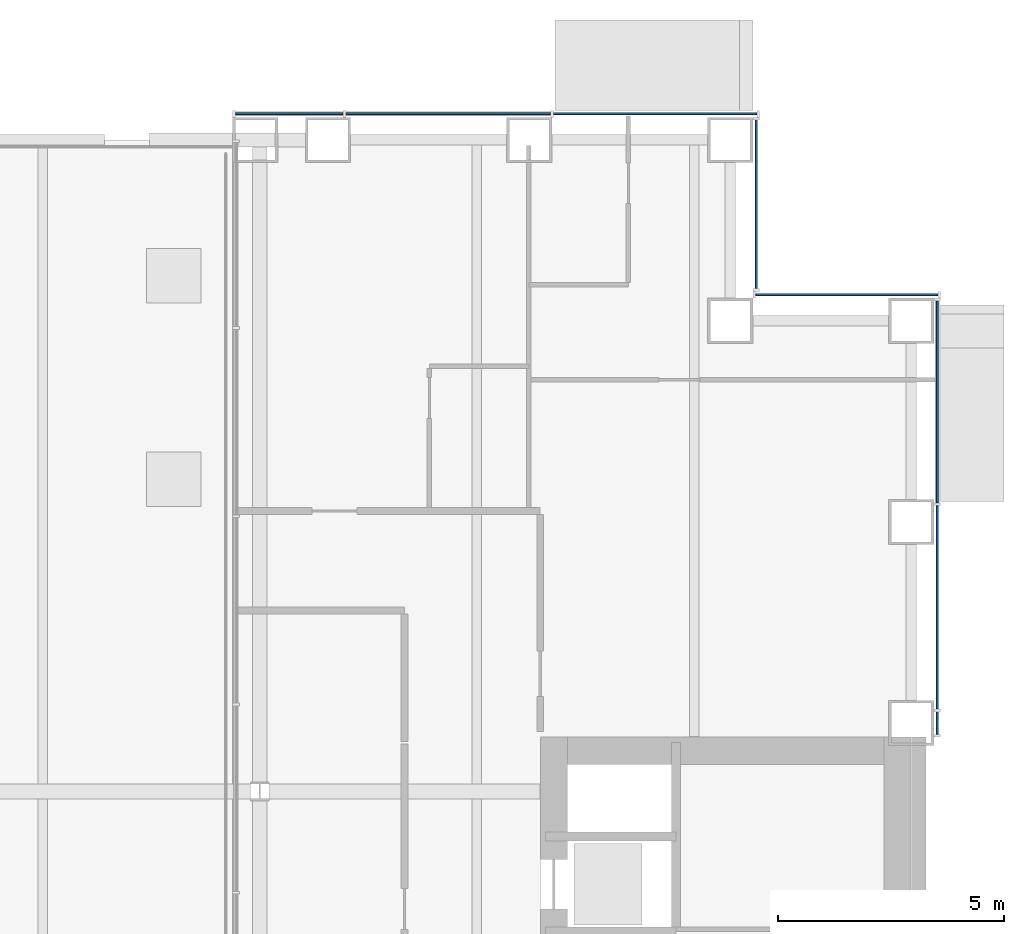
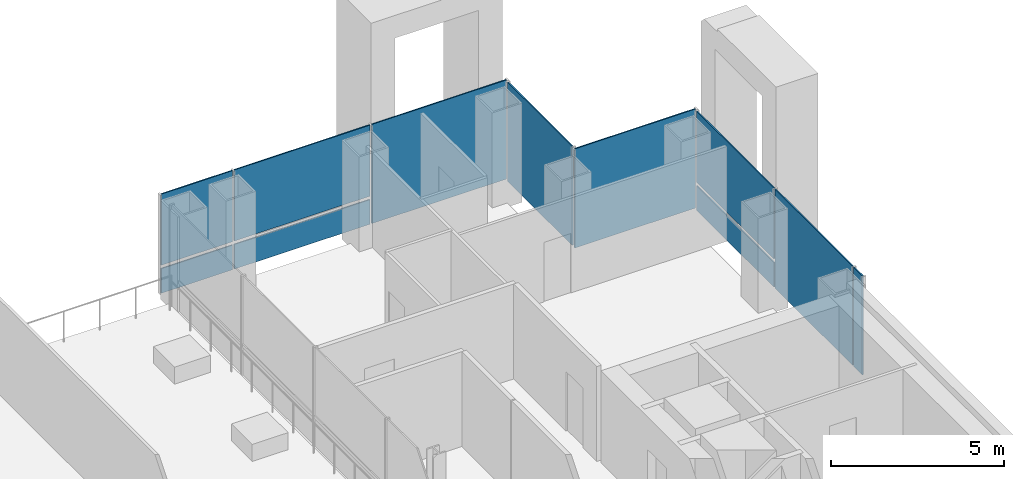
# One storey, part 16 of 24: 11 plates, 4 elements without a shape of their own.
"""IFC4 building model written with IfcOpenShell, lengths in metres."""

from ifc_helpers import new_model, si_unit, direction, frame, origin, origin_2d, place, context, subcontext, project, spatial, rectangle, extrude, material, layer, layer_set, type_object, element, aggregate, save


model = new_model("IFC4")

# Units and contexts
model_context = context("Model", 3, precision=1e-05, world=origin(), true_north=direction((0.0, 1.0)))
body_context = subcontext(model_context, "Body", "Model", "MODEL_VIEW")
ifc_project = project(units=[si_unit("LENGTHUNIT", "METRE"), si_unit("AREAUNIT", "SQUARE_METRE"), si_unit("VOLUMEUNIT", "CUBIC_METRE"), si_unit("PLANEANGLEUNIT", "RADIAN"), si_unit("MASSUNIT", "GRAM", prefix="KILO")], contexts=[model_context])

# Site, building, storey
site_placement = place(None, origin())
site = spatial("IfcSite", under=ifc_project, at=site_placement, CompositionType="ELEMENT")
building_placement = place(site_placement, origin())
building = spatial("IfcBuilding", under=site, at=building_placement, Name="Cobrizo Arcos Hotel Tower", CompositionType="ELEMENT")
storey_placement = place(building_placement, frame((0.0, 0.0, 60.0)))
storey = spatial("IfcBuildingStorey", under=building, at=storey_placement, Name="L13", CompositionType="ELEMENT", Elevation=60.0)

# Curtain wall, plate
ifc_material_1 = material(Name="Aluminium 6063-T6 anodised bronze", Category="aluminium")
curtain_wall_type = type_object("IfcCurtainWallType", Name="CW-A guest facade", PredefinedType="NOTDEFINED", material=ifc_material_1)
curtain_wall_1_placement = place(storey_placement, origin())
curtain_wall_1 = element("IfcCurtainWall", 1, at=curtain_wall_1_placement, inside=storey, type_object=curtain_wall_type, Name="CW-A L13 E face", PredefinedType="NOTDEFINED")
ifc_material_2 = material(Name="Glass clear laminated low-e", Category="glass")
ifc_layer_1 = layer(ifc_material_2, 0.0400390625)
ifc_layer_set_1 = layer_set([ifc_layer_1], Name="CW-A glass panel")
plate_type_1 = type_object("IfcPlateType", Name="CW-A glass panel", PredefinedType="CURTAIN_PANEL", material=ifc_layer_set_1)
plate_1_placement = place(storey_placement, frame((24.574951171875, 18.207275390625, 0.990234375), z_axis=(0.0, 0.0, 1.0), x_axis=(0.0, 1.0, 0.0)))
plate_1 = element("IfcPlate", 2, at=plate_1_placement, type_object=plate_type_1, Name="CW-A glass panel 602", PredefinedType="CURTAIN_PANEL", context=body_context, shape_type="SweptSolid", body=[
    extrude(rectangle(XDim=4.465576171875, YDim=0.0400390625, at=origin_2d()), origin(), (0.0, 0.0, 1.0), 2.510009765625),
])

# Curtain wall, plates
curtain_wall_2_placement = place(storey_placement, origin())
curtain_wall_2 = element("IfcCurtainWall", 3, at=curtain_wall_2_placement, inside=storey, type_object=curtain_wall_type, Name="CW-A L13 N face", PredefinedType="NOTDEFINED")
plate_2_placement = place(storey_placement, frame((13.7666015625, 24.574951171875, 0.990234375), z_axis=(0.0, 0.0, 1.0), x_axis=(-1.0, 0.0, 0.0)))
plate_2 = element("IfcPlate", 4, at=plate_2_placement, type_object=plate_type_1, Name="CW-A glass panel 606", PredefinedType="CURTAIN_PANEL", context=body_context, shape_type="SweptSolid", body=[
    extrude(rectangle(XDim=4.52880859375, YDim=0.0400390625, at=origin_2d()), origin(), (0.0, 0.0, 1.0), 2.510009765625),
])
plate_3_placement = place(storey_placement, frame((10.251220703125, 24.574951171875, 0.990234375), z_axis=(0.0, 0.0, 1.0), x_axis=(-1.0, 0.0, 0.0)))
plate_3 = element("IfcPlate", 5, at=plate_3_placement, type_object=plate_type_1, Name="CW-A glass panel 607", PredefinedType="CURTAIN_PANEL", context=body_context, shape_type="SweptSolid", body=[
    extrude(rectangle(XDim=2.38232421875, YDim=0.0400390625, at=origin_2d()), origin(), (0.0, 0.0, 1.0), 2.510009765625),
])

# Plate
ifc_material_3 = material(Name="Aluminium composite panel pale metal", Category="aluminium")
ifc_layer_2 = layer(ifc_material_3, 0.0400390625)
ifc_layer_set_2 = layer_set([ifc_layer_2], Name="CW-A spandrel panel")
plate_type_2 = type_object("IfcPlateType", Name="CW-A spandrel panel", PredefinedType="CURTAIN_PANEL", material=ifc_layer_set_2)
plate_4_placement = place(storey_placement, frame((24.574951171875, 11.109375, 0.0), z_axis=(0.0, 0.0, 1.0), x_axis=(0.0, 1.0, 0.0)))
plate_4 = element("IfcPlate", 6, at=plate_4_placement, type_object=plate_type_2, Name="CW-A spandrel panel 600", PredefinedType="CURTAIN_PANEL", context=body_context, shape_type="SweptSolid", body=[
    extrude(rectangle(XDim=0.498779296875, YDim=0.0400390625, at=origin_2d()), origin(), (0.0, 0.0, 1.0), 3.5),
])

plate_5_placement = place(storey_placement, frame((24.574951171875, 13.666748046875, 0.0), z_axis=(0.0, 0.0, 1.0), x_axis=(0.0, 1.0, 0.0)))
plate_5 = element("IfcPlate", 7, at=plate_5_placement, type_object=plate_type_2, Name="CW-A spandrel panel 601", PredefinedType="CURTAIN_PANEL", context=body_context, shape_type="SweptSolid", body=[
    extrude(rectangle(XDim=4.49560546875, YDim=0.0400390625, at=origin_2d()), origin(), (0.0, 0.0, 1.0), 3.5),
])

plate_6_placement = place(storey_placement, frame((24.574951171875, 18.207275390625, 0.0), z_axis=(0.0, 0.0, 1.0), x_axis=(0.0, 1.0, 0.0)))
plate_6 = element("IfcPlate", 8, at=plate_6_placement, type_object=plate_type_2, Name="CW-A spandrel panel 602", PredefinedType="CURTAIN_PANEL", context=body_context, shape_type="SweptSolid", body=[
    extrude(rectangle(XDim=4.465576171875, YDim=0.0400390625, at=origin_2d()), origin(), (0.0, 0.0, 1.0), 0.8701171875),
])

aggregate(curtain_wall_1, [plate_4, plate_5, plate_6, plate_1])

# Curtain wall, plate
curtain_wall_3_placement = place(storey_placement, origin())
curtain_wall_3 = element("IfcCurtainWall", 9, at=curtain_wall_3_placement, inside=storey, type_object=curtain_wall_type, Name="CW-A L13 N face", PredefinedType="NOTDEFINED")
plate_7_placement = place(storey_placement, frame((22.574951171875, 20.574951171875, 0.0), z_axis=(0.0, 0.0, 1.0), x_axis=(-1.0, 0.0, 0.0)))
plate_7 = element("IfcPlate", 10, at=plate_7_placement, type_object=plate_type_2, Name="CW-A spandrel panel 603", PredefinedType="CURTAIN_PANEL", context=body_context, shape_type="SweptSolid", body=[
    extrude(rectangle(XDim=4.030029296875, YDim=0.0400390625, at=origin_2d()), origin(), (0.0, 0.0, 1.0), 3.5),
])
aggregate(curtain_wall_3, [plate_7])

curtain_wall_4_placement = place(storey_placement, origin())
curtain_wall_4 = element("IfcCurtainWall", 11, at=curtain_wall_4_placement, inside=storey, type_object=curtain_wall_type, Name="CW-A L13 E face", PredefinedType="NOTDEFINED")
plate_8_placement = place(storey_placement, frame((20.574951171875, 22.574951171875, 0.0), z_axis=(0.0, 0.0, 1.0), x_axis=(0.0, 1.0, 0.0)))
plate_8 = element("IfcPlate", 12, at=plate_8_placement, type_object=plate_type_2, Name="CW-A spandrel panel 604", PredefinedType="CURTAIN_PANEL", context=body_context, shape_type="SweptSolid", body=[
    extrude(rectangle(XDim=3.72998046875, YDim=0.0400390625, at=origin_2d()), origin(), (0.0, 0.0, 1.0), 3.5),
])
aggregate(curtain_wall_4, [plate_8])

# Plate
plate_9_placement = place(storey_placement, frame((18.340576171875, 24.574951171875, 0.0), z_axis=(0.0, 0.0, 1.0), x_axis=(-1.0, 0.0, 0.0)))
plate_9 = element("IfcPlate", 13, at=plate_9_placement, type_object=plate_type_2, Name="CW-A spandrel panel 605", PredefinedType="CURTAIN_PANEL", context=body_context, shape_type="SweptSolid", body=[
    extrude(rectangle(XDim=4.498779296875, YDim=0.0400390625, at=origin_2d()), origin(), (0.0, 0.0, 1.0), 3.5),
])

plate_10_placement = place(storey_placement, frame((13.7666015625, 24.574951171875, 0.0), z_axis=(0.0, 0.0, 1.0), x_axis=(-1.0, 0.0, 0.0)))
plate_10 = element("IfcPlate", 14, at=plate_10_placement, type_object=plate_type_2, Name="CW-A spandrel panel 606", PredefinedType="CURTAIN_PANEL", context=body_context, shape_type="SweptSolid", body=[
    extrude(rectangle(XDim=4.52880859375, YDim=0.0400390625, at=origin_2d()), origin(), (0.0, 0.0, 1.0), 0.8701171875),
])

plate_11_placement = place(storey_placement, frame((10.251220703125, 24.574951171875, 0.0), z_axis=(0.0, 0.0, 1.0), x_axis=(-1.0, 0.0, 0.0)))
plate_11 = element("IfcPlate", 15, at=plate_11_placement, type_object=plate_type_2, Name="CW-A spandrel panel 607", PredefinedType="CURTAIN_PANEL", context=body_context, shape_type="SweptSolid", body=[
    extrude(rectangle(XDim=2.38232421875, YDim=0.0400390625, at=origin_2d()), origin(), (0.0, 0.0, 1.0), 0.8701171875),
])

aggregate(curtain_wall_2, [plate_9, plate_10, plate_2, plate_11, plate_3])

save(model, "model.ifc")
